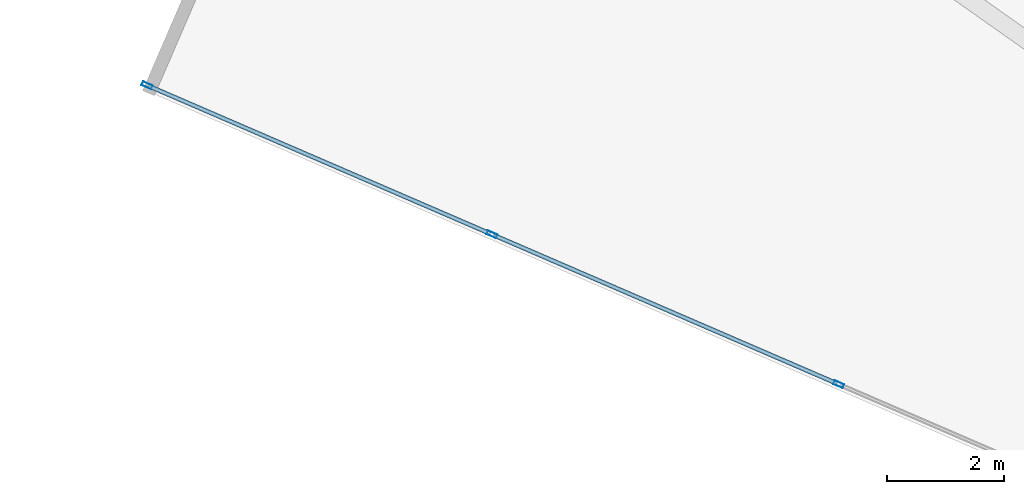
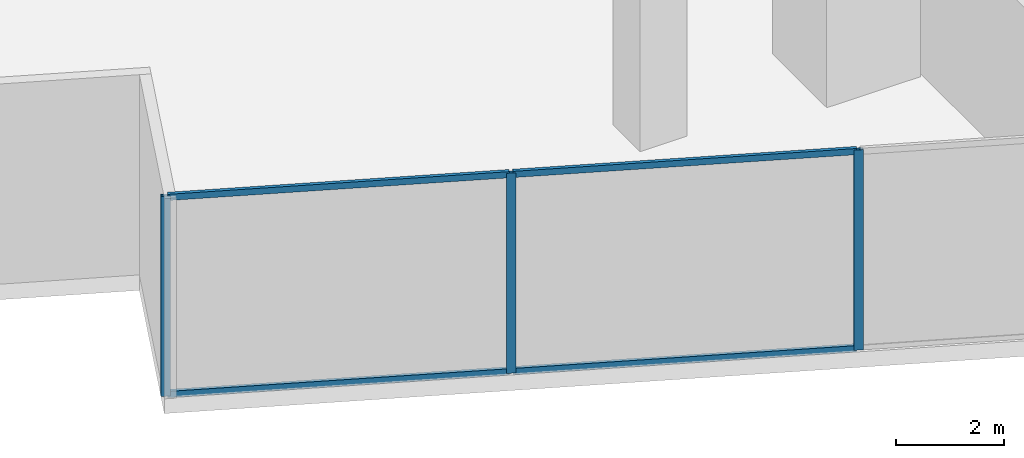
# One storey, part 2 of 24: 7 members, 1 element without a shape of its own.
"""IFC4 building model written with IfcOpenShell, lengths in metres."""

from ifc_helpers import new_model, si_unit, direction, frame, origin, origin_2d, place, context, subcontext, project, spatial, hollow_rectangle, extrude, source, transform, mapped, material, material_profile, profile_set, type_object, type_shapes, element, aggregate, save


model = new_model("IFC4")

# Units and contexts
model_context = context("Model", 3, precision=1e-05, world=origin(), true_north=direction((0.0, 1.0)))
body_context = subcontext(model_context, "Body", "Model", "MODEL_VIEW")
ifc_project = project(units=[si_unit("LENGTHUNIT", "METRE"), si_unit("AREAUNIT", "SQUARE_METRE"), si_unit("VOLUMEUNIT", "CUBIC_METRE"), si_unit("PLANEANGLEUNIT", "RADIAN"), si_unit("MASSUNIT", "GRAM", prefix="KILO")], contexts=[model_context])

# Site, building, storey
site_placement = place(None, origin())
site = spatial("IfcSite", under=ifc_project, at=site_placement, CompositionType="ELEMENT")
building_placement = place(site_placement, origin())
building = spatial("IfcBuilding", under=site, at=building_placement, Name="Krantzveldt Concourse Tower", CompositionType="ELEMENT")
storey_placement = place(building_placement, frame((0.0, 0.0, 141.39990234375)))
storey = spatial("IfcBuildingStorey", under=building, at=storey_placement, Name="L34", CompositionType="ELEMENT", Elevation=141.39990234375)

# Curtain wall, members
ifc_material = material(Name="Anodised aluminium 6063-T6", Category="aluminium")
curtain_wall_type = type_object("IfcCurtainWallType", Name="CW5", PredefinedType="USERDEFINED", material=ifc_material)
curtain_wall_placement = place(storey_placement, origin())
curtain_wall = element("IfcCurtainWall", 1, at=curtain_wall_placement, inside=storey, type_object=curtain_wall_type, Name="CW-L34-F04", ObjectType="UNITISED CURTAIN WALL", PredefinedType="USERDEFINED")
ifc_material_profile_1 = material_profile(ifc_material, hollow_rectangle(XDim=0.070068359375, YDim=0.139892578125, WallThickness=0.0048828125, at=origin_2d()), Name="Anodised aluminium 6063-T6", Category="aluminium")
ifc_profile_set_1 = profile_set([ifc_material_profile_1], Name="Anodised aluminium 6063-T6 - ALU-TRAN 140x70x5")
member_type_1 = type_object("IfcMemberType", Name="CW-TRN-150", PredefinedType="USERDEFINED", material=ifc_profile_set_1)
shared_shape_1 = source(origin(), body_context, "Body", "SweptSolid", [
    extrude(hollow_rectangle(XDim=0.070068359375, YDim=0.139892578125, WallThickness=0.0048828125, at=origin_2d()), origin(), (0.0, 0.0, 1.0), 6.361572265625),
])
member_1_placement = place(storey_placement, frame((9.00830078125, 12.97216796875, 0.03515625), z_axis=(0.91793183647, -0.396738129747, 0.0), x_axis=(0.396738129747, 0.91793183647, 0.0)))
member_1 = element("IfcMember", 2, at=member_1_placement, type_object=member_type_1, Name="CW-SKY transom 1.1", ObjectType="TRANSOM", PredefinedType="USERDEFINED", context=body_context, shape_type="MappedRepresentation", body=[
    mapped(shared_shape_1, transform((0.0, 0.0, 0.0), x_axis=(1.0, 0.0, 0.0), y_axis=(0.0, 1.0, 0.0), z_axis=(0.0, 0.0, 1.0), scale=1.0)),
])
member_2_placement = place(storey_placement, frame((9.00830078125, 12.97216796875, 4.485107421875), z_axis=(0.91793183647, -0.396738129747, 0.0), x_axis=(0.396738129747, 0.91793183647, 0.0)))
member_2 = element("IfcMember", 3, at=member_2_placement, type_object=member_type_1, Name="CW-SKY transom 1.2", ObjectType="TRANSOM", PredefinedType="USERDEFINED", context=body_context, shape_type="MappedRepresentation", body=[
    mapped(shared_shape_1, transform((0.0, 0.0, 0.0), x_axis=(1.0, 0.0, 0.0), y_axis=(0.0, 1.0, 0.0), z_axis=(0.0, 0.0, 1.0), scale=1.0)),
])
shared_shape_2 = source(origin(), body_context, "Body", "SweptSolid", [
    extrude(hollow_rectangle(XDim=0.070068359375, YDim=0.139892578125, WallThickness=0.0048828125, at=origin_2d()), origin(), (0.0, 0.0, 1.0), 6.396484375),
])
type_shapes(member_type_1, [shared_shape_1, shared_shape_2])
member_3_placement = place(storey_placement, frame((14.912109375, 10.42041015625, 0.03515625), z_axis=(0.91792654531, -0.396750371663, 0.0), x_axis=(0.396750371663, 0.91792654531, 0.0)))
member_3 = element("IfcMember", 4, at=member_3_placement, type_object=member_type_1, Name="CW-SKY transom 2.1", ObjectType="TRANSOM", PredefinedType="USERDEFINED", context=body_context, shape_type="MappedRepresentation", body=[
    mapped(shared_shape_2, transform((0.0, 0.0, 0.0), x_axis=(1.0, 0.0, 0.0), y_axis=(0.0, 1.0, 0.0), z_axis=(0.0, 0.0, 1.0), scale=1.0)),
])
member_4_placement = place(storey_placement, frame((14.912109375, 10.42041015625, 4.485107421875), z_axis=(0.91792654531, -0.396750371663, 0.0), x_axis=(0.396750371663, 0.91792654531, 0.0)))
member_4 = element("IfcMember", 5, at=member_4_placement, type_object=member_type_1, Name="CW-SKY transom 2.2", ObjectType="TRANSOM", PredefinedType="USERDEFINED", context=body_context, shape_type="MappedRepresentation", body=[
    mapped(shared_shape_2, transform((0.0, 0.0, 0.0), x_axis=(1.0, 0.0, 0.0), y_axis=(0.0, 1.0, 0.0), z_axis=(0.0, 0.0, 1.0), scale=1.0)),
])
ifc_material_profile_2 = material_profile(ifc_material, hollow_rectangle(XDim=0.070068359375, YDim=0.179931640625, WallThickness=0.0048828125, at=origin_2d()), Name="Anodised aluminium 6063-T6", Category="aluminium")
ifc_profile_set_2 = profile_set([ifc_material_profile_2], Name="Anodised aluminium 6063-T6 - ALU-MULL 180x70x5")
member_type_2 = type_object("IfcMemberType", Name="CW-MUL-180", PredefinedType="MULLION", material=ifc_profile_set_2)
shared_shape_3 = source(origin(), body_context, "Body", "SweptSolid", [
    extrude(hollow_rectangle(XDim=0.070068359375, YDim=0.179931640625, WallThickness=0.0048828125, at=origin_2d()), origin(), (0.0, 0.0, 1.0), 4.52001953125),
])
type_shapes(member_type_2, [shared_shape_3])
member_5_placement = place(storey_placement, frame((8.97607421875, 12.986083984375, 0.0), z_axis=(0.0, 0.0, 1.0), x_axis=(0.396747417177, 0.917927822306, 0.0)))
member_5 = element("IfcMember", 6, at=member_5_placement, type_object=member_type_2, Name="CW-SKY mullion 1", PredefinedType="MULLION", context=body_context, shape_type="MappedRepresentation", body=[
    mapped(shared_shape_3, transform((0.0, 0.0, 0.0), x_axis=(1.0, 0.0, 0.0), y_axis=(0.0, 1.0, 0.0), z_axis=(0.0, 0.0, 1.0), scale=1.0)),
])
member_6_placement = place(storey_placement, frame((14.8798828125, 10.434326171875, 0.0), z_axis=(0.0, 0.0, 1.0), x_axis=(0.396747417177, 0.917927822306, 0.0)))
member_6 = element("IfcMember", 7, at=member_6_placement, type_object=member_type_2, Name="CW-SKY mullion 2", PredefinedType="MULLION", context=body_context, shape_type="MappedRepresentation", body=[
    mapped(shared_shape_3, transform((0.0, 0.0, 0.0), x_axis=(1.0, 0.0, 0.0), y_axis=(0.0, 1.0, 0.0), z_axis=(0.0, 0.0, 1.0), scale=1.0)),
])
member_7_placement = place(storey_placement, frame((20.81591796875, 7.86865234375, 0.0), z_axis=(0.0, 0.0, 1.0), x_axis=(0.396747417177, 0.917927822306, 0.0)))
member_7 = element("IfcMember", 8, at=member_7_placement, type_object=member_type_2, Name="CW-SKY mullion 3", PredefinedType="MULLION", context=body_context, shape_type="MappedRepresentation", body=[
    mapped(shared_shape_3, transform((0.0, 0.0, 0.0), x_axis=(1.0, 0.0, 0.0), y_axis=(0.0, 1.0, 0.0), z_axis=(0.0, 0.0, 1.0), scale=1.0)),
])
aggregate(curtain_wall, [member_5, member_6, member_7, member_1, member_2, member_3, member_4])

save(model, "model.ifc")
